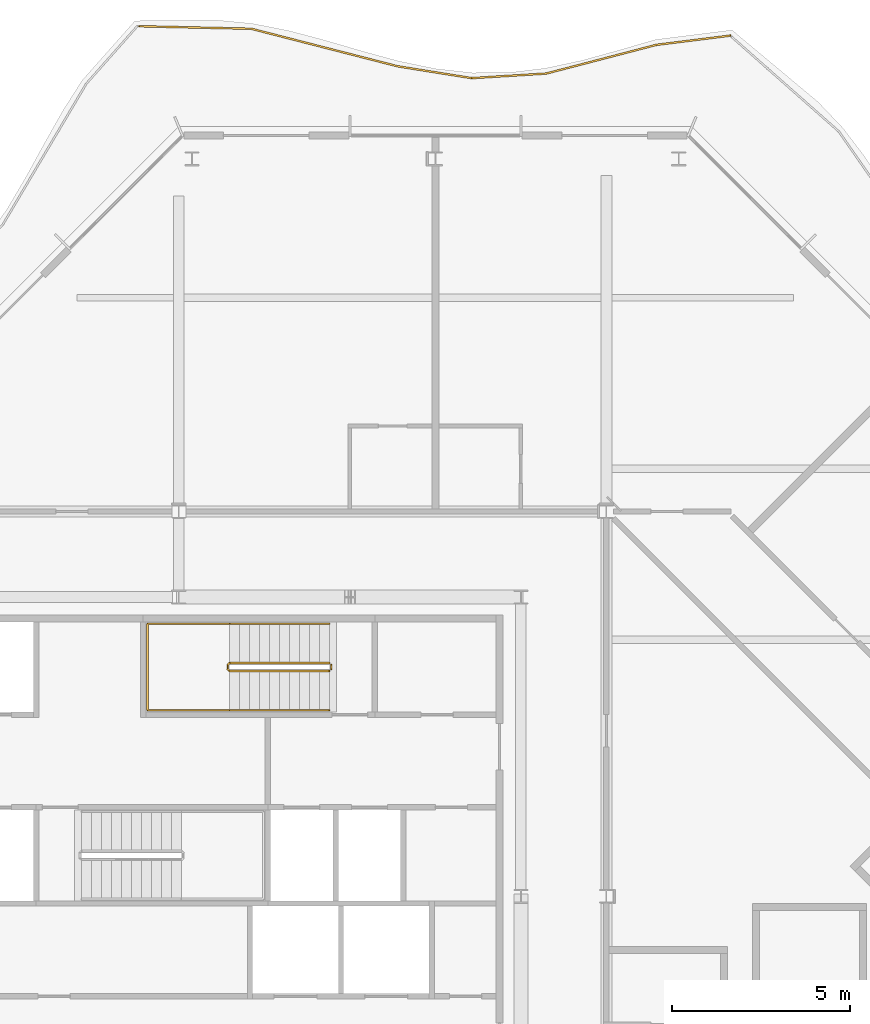
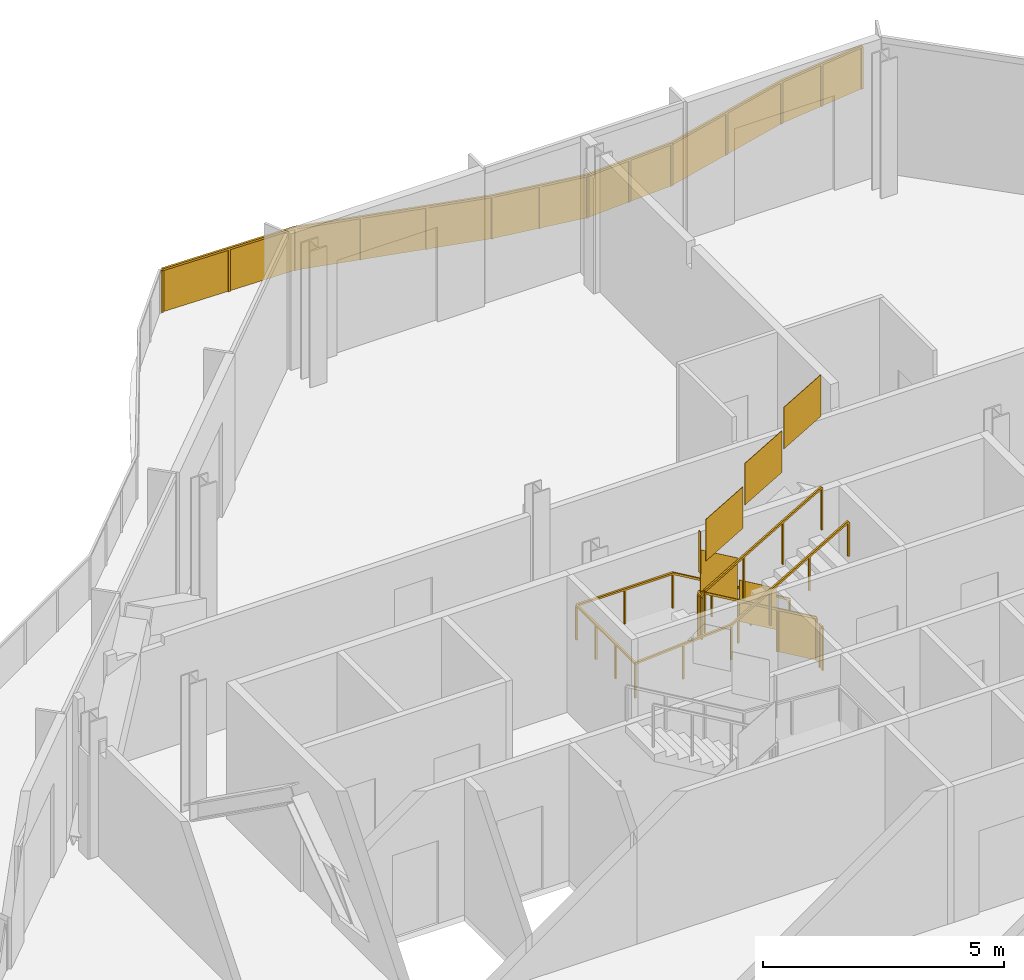
# One storey, part 15 of 16: 4 railings.
"""IFC4 building model written with IfcOpenShell, lengths in metres."""

from ifc_helpers import new_model, si_unit, direction, frame, origin, origin_2d, place, context, subcontext, project, spatial, polyline, rectangle, outline, extrude, material, type_object, element, save


model = new_model("IFC4")

# Units and contexts
model_context = context("Model", 3, precision=1e-05, world=origin(), true_north=direction((0.0, 1.0)))
body_context = subcontext(model_context, "Body", "Model", "MODEL_VIEW")
ifc_project = project(units=[si_unit("LENGTHUNIT", "METRE"), si_unit("AREAUNIT", "SQUARE_METRE"), si_unit("VOLUMEUNIT", "CUBIC_METRE"), si_unit("PLANEANGLEUNIT", "RADIAN"), si_unit("MASSUNIT", "GRAM", prefix="KILO")], contexts=[model_context])

# Site, building, storey
site_placement = place(None, origin())
site = spatial("IfcSite", under=ifc_project, at=site_placement, CompositionType="ELEMENT")
building_placement = place(site_placement, origin())
building = spatial("IfcBuilding", under=site, at=building_placement, Name="Cairn Pilgrim Tower", CompositionType="ELEMENT")
storey_placement = place(building_placement, frame((0.0, 0.0, 267.0)))
storey = spatial("IfcBuildingStorey", under=building, at=storey_placement, Name="L68", CompositionType="ELEMENT", Elevation=267.0)

# Railings
ifc_material_1 = material(Name="Bronze anodised aluminium rail and posts with laminated glass infill", Category="aluminium")
railing_type_1 = type_object("IfcRailingType", Name="BALCONY GUARD 1100", PredefinedType="GUARDRAIL", material=ifc_material_1)
railing_1_placement = place(storey_placement, frame((22.67529296875, 26.5556640625, 0.0)))
element("IfcRailing", 1, at=railing_1_placement, inside=storey, type_object=railing_type_1, Name="Balcony guard BG-4", PredefinedType="GUARDRAIL", context=body_context, shape_type="SweptSolid", body=[
    extrude(rectangle(XDim=0.050048828125, YDim=0.050048828125, at=origin_2d()), frame((0.0, 0.0, 1.0751953125), z_axis=(-0.992272488507, -0.124077832641, 0.0), x_axis=(0.124077832641, -0.992272488507, 0.0)), (0.0, 0.0, 1.0), 2.091552734375),
    extrude(rectangle(XDim=0.050048828125, YDim=0.050048828125, at=origin_2d()), frame((-2.075439453125, -0.259521484375, 1.0751953125), z_axis=(-0.967693542034, -0.252129349157, 0.0), x_axis=(0.252129349157, -0.967693542034, 0.0)), (0.0, 0.0, 1.0), 3.193603515625),
    extrude(rectangle(XDim=0.050048828125, YDim=0.050048828125, at=origin_2d()), frame((-5.165771484375, -1.064697265625, 1.0751953125), z_axis=(-0.998107575439, -0.061492014526, 0.0), x_axis=(0.061492014526, -0.998107575439, 0.0)), (0.0, 0.0, 1.0), 2.09228515625),
    extrude(rectangle(XDim=0.050048828125, YDim=0.050048828125, at=origin_2d()), frame((-7.254150390625, -1.193359375, 1.0751953125), z_axis=(-0.987465207331, 0.157836828117, 0.0), x_axis=(-0.157836828117, -0.987465207331, 0.0)), (0.0, 0.0, 1.0), 2.106689453125),
    extrude(rectangle(XDim=0.050048828125, YDim=0.050048828125, at=origin_2d()), frame((-9.33447265625, -0.86083984375, 1.0751953125), z_axis=(-0.968657111903, 0.24840168993, 0.0), x_axis=(-0.24840168993, -0.968657111903, 0.0)), (0.0, 0.0, 1.0), 4.237060546875),
    extrude(rectangle(XDim=0.050048828125, YDim=0.050048828125, at=origin_2d()), frame((-13.438720703125, 0.191650390625, 1.0751953125), z_axis=(-0.999744356462, 0.022610212771, 0.0), x_axis=(-0.022610212771, -0.999744356462, 0.0)), (0.0, 0.0, 1.0), 3.14208984375),
    extrude(rectangle(XDim=0.050048828125, YDim=0.050048828125, at=origin_2d()), origin(), (0.0, 0.0, 1.0), 1.050048828125),
    extrude(rectangle(XDim=0.050048828125, YDim=0.050048828125, at=origin_2d()), frame((-1.03759765625, -0.1298828125, 0.0)), (0.0, 0.0, 1.0), 1.050048828125),
    extrude(rectangle(XDim=0.050048828125, YDim=0.050048828125, at=origin_2d()), frame((-2.075439453125, -0.259521484375, 0.0)), (0.0, 0.0, 1.0), 1.050048828125),
    extrude(rectangle(XDim=0.050048828125, YDim=0.050048828125, at=origin_2d()), frame((-3.62060546875, -0.662109375, 0.0)), (0.0, 0.0, 1.0), 1.050048828125),
    extrude(rectangle(XDim=0.050048828125, YDim=0.050048828125, at=origin_2d()), frame((-5.165771484375, -1.064697265625, 0.0)), (0.0, 0.0, 1.0), 1.050048828125),
    extrude(rectangle(XDim=0.050048828125, YDim=0.050048828125, at=origin_2d()), frame((-6.2099609375, -1.12890625, 0.0)), (0.0, 0.0, 1.0), 1.050048828125),
    extrude(rectangle(XDim=0.050048828125, YDim=0.050048828125, at=origin_2d()), frame((-7.254150390625, -1.193359375, 0.0)), (0.0, 0.0, 1.0), 1.050048828125),
    extrude(rectangle(XDim=0.050048828125, YDim=0.050048828125, at=origin_2d()), frame((-8.29443359375, -1.027099609375, 0.0)), (0.0, 0.0, 1.0), 1.050048828125),
    extrude(rectangle(XDim=0.050048828125, YDim=0.050048828125, at=origin_2d()), frame((-9.33447265625, -0.86083984375, 0.0)), (0.0, 0.0, 1.0), 1.050048828125),
    extrude(rectangle(XDim=0.050048828125, YDim=0.050048828125, at=origin_2d()), frame((-10.70263671875, -0.510009765625, 0.0)), (0.0, 0.0, 1.0), 1.050048828125),
    extrude(rectangle(XDim=0.050048828125, YDim=0.050048828125, at=origin_2d()), frame((-12.070556640625, -0.1591796875, 0.0)), (0.0, 0.0, 1.0), 1.050048828125),
    extrude(rectangle(XDim=0.050048828125, YDim=0.050048828125, at=origin_2d()), frame((-13.438720703125, 0.191650390625, 0.0)), (0.0, 0.0, 1.0), 1.050048828125),
    extrude(rectangle(XDim=0.050048828125, YDim=0.050048828125, at=origin_2d()), frame((-15.00927734375, 0.22705078125, 0.0)), (0.0, 0.0, 1.0), 1.050048828125),
    extrude(rectangle(XDim=0.050048828125, YDim=0.050048828125, at=origin_2d()), frame((-16.580078125, 0.2626953125, 0.0)), (0.0, 0.0, 1.0), 1.050048828125),
    extrude(outline(polyline([(0.02490234375, 0.0), (1.020751953125, 0.0), (1.020751953125, 1.050048828125), (0.02490234375, 1.050048828125), (0.02490234375, 0.0)])), frame((0.000732421875, -0.005859375, 0.0), z_axis=(-0.124077832641, 0.992272488507, 0.0), x_axis=(-0.992272488507, -0.124077832641, 0.0)), (0.0, 0.0, 1.0), 0.011962890625),
    extrude(outline(polyline([(0.02490234375, 0.0), (1.020751953125, 0.0), (1.020751953125, 1.050048828125), (0.02490234375, 1.050048828125), (0.02490234375, 0.0)])), frame((-1.036865234375, -0.1357421875, 0.0), z_axis=(-0.124077832641, 0.992272488507, 0.0), x_axis=(-0.992272488507, -0.124077832641, 0.0)), (0.0, 0.0, 1.0), 0.011962890625),
    extrude(outline(polyline([(0.02490234375, 0.0), (1.57177734375, 0.0), (1.57177734375, 1.050048828125), (0.02490234375, 1.050048828125), (0.02490234375, 0.0)])), frame((-2.073974609375, -0.265380859375, 0.0), z_axis=(-0.252129349157, 0.967693542034, 0.0), x_axis=(-0.967693542034, -0.252129349157, 0.0)), (0.0, 0.0, 1.0), 0.011962890625),
    extrude(outline(polyline([(0.02490234375, 0.0), (1.57177734375, 0.0), (1.57177734375, 1.050048828125), (0.02490234375, 1.050048828125), (0.02490234375, 0.0)])), frame((-3.619140625, -0.66796875, 0.0), z_axis=(-0.252129349157, 0.967693542034, 0.0), x_axis=(-0.967693542034, -0.252129349157, 0.0)), (0.0, 0.0, 1.0), 0.011962890625),
    extrude(outline(polyline([(0.02490234375, 0.0), (1.021240234375, 0.0), (1.021240234375, 1.050048828125), (0.02490234375, 1.050048828125), (0.02490234375, 0.0)])), frame((-5.165283203125, -1.070556640625, 0.0), z_axis=(-0.061492014526, 0.998107575439, 0.0), x_axis=(-0.998107575439, -0.061492014526, 0.0)), (0.0, 0.0, 1.0), 0.011962890625),
    extrude(outline(polyline([(0.02490234375, 0.0), (1.021240234375, 0.0), (1.021240234375, 1.050048828125), (0.02490234375, 1.050048828125), (0.02490234375, 0.0)])), frame((-6.20947265625, -1.135009765625, 0.0), z_axis=(-0.061492014526, 0.998107575439, 0.0), x_axis=(-0.998107575439, -0.061492014526, 0.0)), (0.0, 0.0, 1.0), 0.011962890625),
    extrude(outline(polyline([(0.02490234375, 0.0), (1.0283203125, 0.0), (1.0283203125, 1.050048828125), (0.02490234375, 1.050048828125), (0.02490234375, 0.0)])), frame((-7.255126953125, -1.19921875, 0.0), z_axis=(0.157836828117, 0.987465207331, 0.0), x_axis=(-0.987465207331, 0.157836828117, 0.0)), (0.0, 0.0, 1.0), 0.011962890625),
    extrude(outline(polyline([(0.02490234375, 0.0), (1.0283203125, 0.0), (1.0283203125, 1.050048828125), (0.02490234375, 1.050048828125), (0.02490234375, 0.0)])), frame((-8.295166015625, -1.032958984375, 0.0), z_axis=(0.157836828117, 0.987465207331, 0.0), x_axis=(-0.987465207331, 0.157836828117, 0.0)), (0.0, 0.0, 1.0), 0.011962890625),
    extrude(outline(polyline([(0.02490234375, 0.0), (1.38720703125, 0.0), (1.38720703125, 1.050048828125), (0.02490234375, 1.050048828125), (0.02490234375, 0.0)])), frame((-9.3359375, -0.86669921875, 0.0), z_axis=(0.24840168993, 0.968657111903, 0.0), x_axis=(-0.968657111903, 0.24840168993, 0.0)), (0.0, 0.0, 1.0), 0.011962890625),
    extrude(outline(polyline([(0.02490234375, 0.0), (1.38720703125, 0.0), (1.38720703125, 1.050048828125), (0.02490234375, 1.050048828125), (0.02490234375, 0.0)])), frame((-10.7041015625, -0.515869140625, 0.0), z_axis=(0.24840168993, 0.968657111903, 0.0), x_axis=(-0.968657111903, 0.24840168993, 0.0)), (0.0, 0.0, 1.0), 0.011962890625),
    extrude(outline(polyline([(0.02490234375, 0.0), (1.38720703125, 0.0), (1.38720703125, 1.050048828125), (0.02490234375, 1.050048828125), (0.02490234375, 0.0)])), frame((-12.072021484375, -0.1650390625, 0.0), z_axis=(0.24840168993, 0.968657111903, 0.0), x_axis=(-0.968657111903, 0.24840168993, 0.0)), (0.0, 0.0, 1.0), 0.011962890625),
    extrude(outline(polyline([(0.02490234375, 0.0), (1.546142578125, 0.0), (1.546142578125, 1.050048828125), (0.02490234375, 1.050048828125), (0.02490234375, 0.0)])), frame((-13.43896484375, 0.185791015625, 0.0), z_axis=(0.022610212771, 0.999744356462, 0.0), x_axis=(-0.999744356462, 0.022610212771, 0.0)), (0.0, 0.0, 1.0), 0.011962890625),
    extrude(outline(polyline([(0.02490234375, 0.0), (1.546142578125, 0.0), (1.546142578125, 1.050048828125), (0.02490234375, 1.050048828125), (0.02490234375, 0.0)])), frame((-15.009521484375, 0.22119140625, 0.0), z_axis=(0.022610212771, 0.999744356462, 0.0), x_axis=(-0.999744356462, 0.022610212771, 0.0)), (0.0, 0.0, 1.0), 0.011962890625),
])
ifc_material_2 = material(Name="Painted steel", Category="steel")
railing_type_2 = type_object("IfcRailingType", Name="STAIR GUARD 1100", PredefinedType="GUARDRAIL", material=ifc_material_2)
railing_2_placement = place(storey_placement, frame((11.425048828125, 8.949951171875, 0.16357421875)))
element("IfcRailing", 2, at=railing_2_placement, inside=storey, type_object=railing_type_2, Name="L68 ST-C stair guard 1", PredefinedType="GUARDRAIL", context=body_context, shape_type="SweptSolid", body=[
    extrude(rectangle(XDim=0.048095703125, YDim=0.048095703125, at=origin_2d()), frame((0.0, 0.0, 1.076171875), z_axis=(-0.863360870873, 0.0, 0.504586966384), x_axis=(0.0, -1.0, 0.0)), (0.0, 0.0, 1.0), 3.2431640625),
    extrude(rectangle(XDim=0.048095703125, YDim=0.048095703125, at=origin_2d()), frame((-2.800048828125, 0.0, 2.71240234375), z_axis=(-0.707106781187, -0.707106781187, 0.0), x_axis=(0.707106781187, -0.707106781187, 0.0)), (0.0, 0.0, 1.0), 0.07080078125),
    extrude(rectangle(XDim=0.048095703125, YDim=0.048095703125, at=origin_2d()), frame((-2.85009765625, -0.050048828125, 2.71240234375), z_axis=(0.0, -1.0, 0.0), x_axis=(1.0, 0.0, 0.0)), (0.0, 0.0, 1.0), 0.125),
    extrude(rectangle(XDim=0.048095703125, YDim=0.048095703125, at=origin_2d()), frame((-2.85009765625, -0.175048828125, 2.71240234375), z_axis=(0.280916556609, -0.279546231943, 0.91811752648), x_axis=(0.705375805398, 0.708833529934, 0.0)), (0.0, 0.0, 1.0), 0.17822265625),
    extrude(rectangle(XDim=0.048095703125, YDim=0.048095703125, at=origin_2d()), frame((-2.800048828125, -0.224853515625, 2.8759765625), z_axis=(0.863360870873, 0.0, 0.504586966384), x_axis=(0.0, 1.0, 0.0)), (0.0, 0.0, 1.0), 3.2431640625),
    extrude(rectangle(XDim=0.0419921875, YDim=0.0419921875, at=origin_2d()), origin(), (0.0, 0.0, 1.0), 1.052001953125),
    extrude(rectangle(XDim=0.0419921875, YDim=0.0419921875, at=origin_2d()), frame((-0.933349609375, 0.0, 0.54541015625)), (0.0, 0.0, 1.0), 1.052001953125),
    extrude(rectangle(XDim=0.0419921875, YDim=0.0419921875, at=origin_2d()), frame((-1.86669921875, 0.0, 1.091064453125)), (0.0, 0.0, 1.0), 1.052001953125),
    extrude(rectangle(XDim=0.0419921875, YDim=0.0419921875, at=origin_2d()), frame((-2.800048828125, 0.0, 1.636474609375)), (0.0, 0.0, 1.0), 1.052001953125),
    extrude(rectangle(XDim=0.0419921875, YDim=0.0419921875, at=origin_2d()), frame((-2.85009765625, -0.050048828125, 1.636474609375)), (0.0, 0.0, 1.0), 1.052001953125),
    extrude(rectangle(XDim=0.0419921875, YDim=0.0419921875, at=origin_2d()), frame((-2.85009765625, -0.175048828125, 1.636474609375)), (0.0, 0.0, 1.0), 1.052001953125),
    extrude(rectangle(XDim=0.0419921875, YDim=0.0419921875, at=origin_2d()), frame((-2.800048828125, -0.224853515625, 1.800048828125)), (0.0, 0.0, 1.0), 1.052001953125),
    extrude(rectangle(XDim=0.0419921875, YDim=0.0419921875, at=origin_2d()), frame((-1.86669921875, -0.224853515625, 2.345458984375)), (0.0, 0.0, 1.0), 1.052001953125),
    extrude(rectangle(XDim=0.0419921875, YDim=0.0419921875, at=origin_2d()), frame((-0.933349609375, -0.224853515625, 2.89111328125)), (0.0, 0.0, 1.0), 1.052001953125),
    extrude(rectangle(XDim=0.0419921875, YDim=0.0419921875, at=origin_2d()), frame((0.0, -0.224853515625, 3.4365234375)), (0.0, 0.0, 1.0), 1.052001953125),
    extrude(outline(polyline([(0.02099609375, 0.01220703125), (0.912353515625, 0.533203125), (0.912353515625, 1.585205078125), (0.02099609375, 1.064208984375), (0.02099609375, 0.01220703125)])), frame((0.0, -0.005859375, 0.0), z_axis=(0.0, 1.0, 0.0), x_axis=(-1.0, 0.0, 0.0)), (0.0, 0.0, 1.0), 0.011962890625),
    extrude(outline(polyline([(0.02099609375, 0.557861328125), (0.912353515625, 1.07861328125), (0.912353515625, 2.130615234375), (0.02099609375, 1.60986328125), (0.02099609375, 0.557861328125)])), frame((-0.933349609375, -0.005859375, 0.54541015625), z_axis=(0.0, 1.0, 0.0), x_axis=(-1.0, 0.0, 0.0)), (0.0, 0.0, 1.0), 0.011962890625),
    extrude(outline(polyline([(0.02099609375, 1.103271484375), (0.912353515625, 1.624267578125), (0.912353515625, 2.67626953125), (0.02099609375, 2.1552734375), (0.02099609375, 1.103271484375)])), frame((-1.86669921875, -0.005859375, 1.091064453125), z_axis=(0.0, 1.0, 0.0), x_axis=(-1.0, 0.0, 0.0)), (0.0, 0.0, 1.0), 0.011962890625),
    extrude(outline(polyline([(0.02099609375, 1.636474609375), (0.10400390625, 1.636474609375), (0.10400390625, 2.6884765625), (0.02099609375, 2.6884765625), (0.02099609375, 1.636474609375)])), frame((-2.84423828125, -0.050048828125, 1.636474609375), z_axis=(-1.0, 0.0, 0.0), x_axis=(0.0, -1.0, 0.0)), (0.0, 0.0, 1.0), 0.011962890625),
    extrude(outline(polyline([(0.02099609375, 1.812255859375), (0.912353515625, 2.333251953125), (0.912353515625, 3.38525390625), (0.02099609375, 2.8642578125), (0.02099609375, 1.812255859375)])), frame((-2.800048828125, -0.21875, 1.800048828125), z_axis=(0.0, -1.0, 0.0), x_axis=(1.0, 0.0, 0.0)), (0.0, 0.0, 1.0), 0.011962890625),
    extrude(outline(polyline([(0.02099609375, 2.35791015625), (0.912353515625, 2.878662109375), (0.912353515625, 3.9306640625), (0.02099609375, 3.409912109375), (0.02099609375, 2.35791015625)])), frame((-1.86669921875, -0.21875, 2.345458984375), z_axis=(0.0, -1.0, 0.0), x_axis=(1.0, 0.0, 0.0)), (0.0, 0.0, 1.0), 0.011962890625),
    extrude(outline(polyline([(0.02099609375, 2.9033203125), (0.912353515625, 3.42431640625), (0.912353515625, 4.476318359375), (0.02099609375, 3.955322265625), (0.02099609375, 2.9033203125)])), frame((-0.933349609375, -0.21875, 2.89111328125), z_axis=(0.0, -1.0, 0.0), x_axis=(1.0, 0.0, 0.0)), (0.0, 0.0, 1.0), 0.011962890625),
])
railing_3_placement = place(storey_placement, frame((11.47509765625, 8.89990234375, 0.0)))
element("IfcRailing", 3, at=railing_3_placement, inside=storey, type_object=railing_type_2, Name="L68 ST-C stair guard 2", PredefinedType="GUARDRAIL", context=body_context, shape_type="SweptSolid", body=[
    extrude(rectangle(XDim=0.048095703125, YDim=0.048095703125, at=origin_2d()), frame((0.0, 0.0, 1.076171875), z_axis=(0.0, -1.0, 0.0), x_axis=(1.0, 0.0, 0.0)), (0.0, 0.0, 1.0), 0.125),
    extrude(rectangle(XDim=0.0419921875, YDim=0.0419921875, at=origin_2d()), origin(), (0.0, 0.0, 1.0), 1.052001953125),
    extrude(rectangle(XDim=0.0419921875, YDim=0.0419921875, at=origin_2d()), frame((0.0, -0.125, 0.0)), (0.0, 0.0, 1.0), 1.052001953125),
    extrude(outline(polyline([(0.02099609375, 0.0), (0.10400390625, 0.0), (0.10400390625, 1.052001953125), (0.02099609375, 1.052001953125), (0.02099609375, 0.0)])), frame((0.005859375, 0.0, 0.0), z_axis=(-1.0, 0.0, 0.0), x_axis=(0.0, -1.0, 0.0)), (0.0, 0.0, 1.0), 0.011962890625),
])
railing_type_3 = type_object("IfcRailingType", Name="STAIR HANDRAIL 900", PredefinedType="HANDRAIL", material=ifc_material_2)
railing_4_placement = place(storey_placement, frame((11.425048828125, 10.050048828125, 0.16357421875)))
element("IfcRailing", 4, at=railing_4_placement, inside=storey, type_object=railing_type_3, Name="L68 ST-C stair handrail 1", PredefinedType="HANDRAIL", context=body_context, shape_type="SweptSolid", body=[
    extrude(rectangle(XDim=0.048095703125, YDim=0.048095703125, at=origin_2d()), frame((0.0, 0.0, 0.8759765625), z_axis=(-0.863360870873, 0.0, 0.504586966384), x_axis=(0.0, -1.0, 0.0)), (0.0, 0.0, 1.0), 3.2431640625),
    extrude(rectangle(XDim=0.048095703125, YDim=0.048095703125, at=origin_2d()), frame((-2.800048828125, 0.0, 2.51220703125), z_axis=(-1.0, 0.0, 0.0), x_axis=(0.0, -1.0, 0.0)), (0.0, 0.0, 1.0), 2.300048828125),
    extrude(rectangle(XDim=0.048095703125, YDim=0.048095703125, at=origin_2d()), frame((-5.10009765625, 0.0, 2.51220703125), z_axis=(0.0, -1.0, 0.0), x_axis=(1.0, 0.0, 0.0)), (0.0, 0.0, 1.0), 2.425048828125),
    extrude(rectangle(XDim=0.048095703125, YDim=0.048095703125, at=origin_2d()), frame((-5.10009765625, -2.425048828125, 2.51220703125), z_axis=(0.997480687736, 0.0, 0.070938548008), x_axis=(0.0, 1.0, 0.0)), (0.0, 0.0, 1.0), 2.305908203125),
    extrude(rectangle(XDim=0.048095703125, YDim=0.048095703125, at=origin_2d()), frame((-2.800048828125, -2.425048828125, 2.67578125), z_axis=(0.863360870873, 0.0, 0.504586966384), x_axis=(0.0, 1.0, 0.0)), (0.0, 0.0, 1.0), 3.2431640625),
    extrude(rectangle(XDim=0.0419921875, YDim=0.0419921875, at=origin_2d()), origin(), (0.0, 0.0, 1.0), 0.851806640625),
    extrude(rectangle(XDim=0.0419921875, YDim=0.0419921875, at=origin_2d()), frame((-0.933349609375, 0.0, 0.54541015625)), (0.0, 0.0, 1.0), 0.851806640625),
    extrude(rectangle(XDim=0.0419921875, YDim=0.0419921875, at=origin_2d()), frame((-1.86669921875, 0.0, 1.091064453125)), (0.0, 0.0, 1.0), 0.851806640625),
    extrude(rectangle(XDim=0.0419921875, YDim=0.0419921875, at=origin_2d()), frame((-2.800048828125, 0.0, 1.636474609375)), (0.0, 0.0, 1.0), 0.851806640625),
    extrude(rectangle(XDim=0.0419921875, YDim=0.0419921875, at=origin_2d()), frame((-3.9501953125, 0.0, 1.636474609375)), (0.0, 0.0, 1.0), 0.851806640625),
    extrude(rectangle(XDim=0.0419921875, YDim=0.0419921875, at=origin_2d()), frame((-5.10009765625, 0.0, 1.636474609375)), (0.0, 0.0, 1.0), 0.851806640625),
    extrude(rectangle(XDim=0.0419921875, YDim=0.0419921875, at=origin_2d()), frame((-5.10009765625, -0.808349609375, 1.636474609375)), (0.0, 0.0, 1.0), 0.851806640625),
    extrude(rectangle(XDim=0.0419921875, YDim=0.0419921875, at=origin_2d()), frame((-5.10009765625, -1.61669921875, 1.636474609375)), (0.0, 0.0, 1.0), 0.851806640625),
    extrude(rectangle(XDim=0.0419921875, YDim=0.0419921875, at=origin_2d()), frame((-5.10009765625, -2.425048828125, 1.636474609375)), (0.0, 0.0, 1.0), 0.851806640625),
    extrude(rectangle(XDim=0.0419921875, YDim=0.0419921875, at=origin_2d()), frame((-3.9501953125, -2.425048828125, 1.71826171875)), (0.0, 0.0, 1.0), 0.851806640625),
    extrude(rectangle(XDim=0.0419921875, YDim=0.0419921875, at=origin_2d()), frame((-2.800048828125, -2.425048828125, 1.800048828125)), (0.0, 0.0, 1.0), 0.851806640625),
    extrude(rectangle(XDim=0.0419921875, YDim=0.0419921875, at=origin_2d()), frame((-1.86669921875, -2.425048828125, 2.345458984375)), (0.0, 0.0, 1.0), 0.851806640625),
    extrude(rectangle(XDim=0.0419921875, YDim=0.0419921875, at=origin_2d()), frame((-0.933349609375, -2.425048828125, 2.89111328125)), (0.0, 0.0, 1.0), 0.851806640625),
    extrude(rectangle(XDim=0.0419921875, YDim=0.0419921875, at=origin_2d()), frame((0.0, -2.425048828125, 3.4365234375)), (0.0, 0.0, 1.0), 0.851806640625),
])

save(model, "model.ifc")
